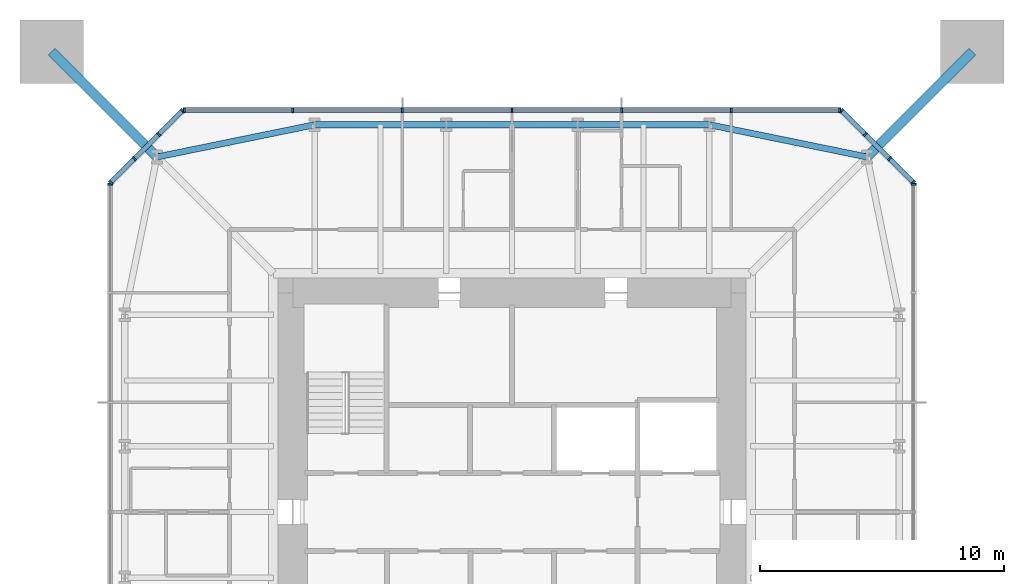
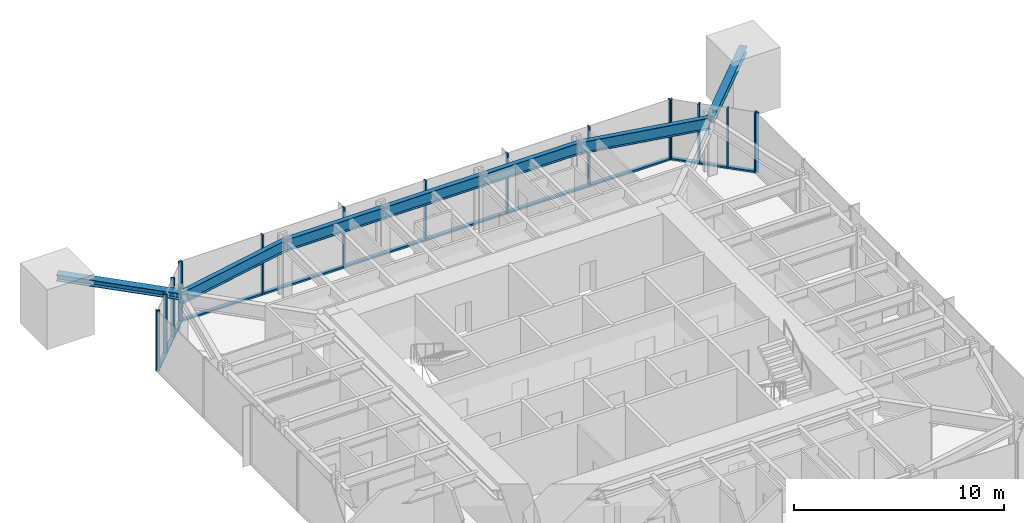
# One storey, part 4 of 9: 31 members, 5 beams, 5 elements without a shape of their own.
"""IFC4 building model written with IfcOpenShell, lengths in metres."""

from ifc_helpers import new_model, si_unit, direction, frame, origin, origin_2d, place, context, subcontext, project, spatial, rectangle, i_section, extrude, material, material_profile, profile_set, type_object, element, aggregate, save


model = new_model("IFC4")

# Units and contexts
model_context = context("Model", 3, precision=1e-05, world=origin(), true_north=direction((0.0, 1.0)))
body_context = subcontext(model_context, "Body", "Model", "MODEL_VIEW")
ifc_project = project(units=[si_unit("LENGTHUNIT", "METRE"), si_unit("AREAUNIT", "SQUARE_METRE"), si_unit("VOLUMEUNIT", "CUBIC_METRE"), si_unit("PLANEANGLEUNIT", "RADIAN"), si_unit("MASSUNIT", "GRAM", prefix="KILO")], contexts=[model_context])

# Site, building, storey
site_placement = place(None, origin())
site = spatial("IfcSite", under=ifc_project, at=site_placement, CompositionType="ELEMENT")
building_placement = place(site_placement, origin())
building = spatial("IfcBuilding", under=site, at=building_placement, Name="Iwan Alto Co-Living Towers", CompositionType="ELEMENT")
storey_placement = place(building_placement, frame((0.0, 0.0, 257.0)))
storey = spatial("IfcBuildingStorey", under=building, at=storey_placement, Name="L70", CompositionType="ELEMENT", Elevation=257.0)

# Curtain wall, member
ifc_material_1 = material(Name="Bronze aluminium unitised frame", Category="aluminium")
curtain_wall_type_1 = type_object("IfcCurtainWallType", Name="CURTAIN WALL CW-A", PredefinedType="NOTDEFINED", material=ifc_material_1)
curtain_wall_1_placement = place(storey_placement, origin())
curtain_wall_1 = element("IfcCurtainWall", 1, at=curtain_wall_1_placement, inside=storey, type_object=curtain_wall_type_1, Name="T1 curtain wall E L70", PredefinedType="NOTDEFINED")
ifc_material_2 = material(Name="Aluminium 6063-T6 bronze anodised", Category="aluminium")
ifc_material_profile_1 = material_profile(ifc_material_2, rectangle(XDim=0.199951171875, YDim=0.080078125, at=origin_2d()), Name="AL 80X200")
ifc_profile_set_1 = profile_set([ifc_material_profile_1], Name="Aluminium 6063-T6 bronze anodised")
member_type_1 = type_object("IfcMemberType", Name="CW-A MULLION 80X200", PredefinedType="MULLION", material=ifc_profile_set_1)
member_1_placement = place(storey_placement, frame((16.5, 13.4599609375, 0.0), z_axis=(0.0, 0.0, 1.0), x_axis=(-1.0, 0.0, 0.0)))
member_1 = element("IfcMember", 2, at=member_1_placement, type_object=member_type_1, Name="CW-A mullion 7", PredefinedType="MULLION", context=body_context, shape_type="SweptSolid", body=[
    extrude(rectangle(XDim=0.199951171875, YDim=0.080078125, at=origin_2d()), origin(), (0.0, 0.0, 1.0), 3.5),
])
aggregate(curtain_wall_1, [member_1])

# Curtain wall, members
curtain_wall_2_placement = place(storey_placement, origin())
curtain_wall_2 = element("IfcCurtainWall", 3, at=curtain_wall_2_placement, inside=storey, type_object=curtain_wall_type_1, Name="T1 curtain wall N L70", PredefinedType="NOTDEFINED")
member_2_placement = place(storey_placement, frame((13.4599609375, 16.5, 0.0), z_axis=(0.0, 0.0, 1.0), x_axis=(0.0, -1.0, 0.0)))
member_2 = element("IfcMember", 4, at=member_2_placement, type_object=member_type_1, Name="CW-A mullion 1", PredefinedType="MULLION", context=body_context, shape_type="SweptSolid", body=[
    extrude(rectangle(XDim=0.199951171875, YDim=0.080078125, at=origin_2d()), origin(), (0.0, 0.0, 1.0), 3.5),
])
member_3_placement = place(storey_placement, frame((9.0, 16.5, 0.0), z_axis=(0.0, 0.0, 1.0), x_axis=(0.0, -1.0, 0.0)))
member_3 = element("IfcMember", 5, at=member_3_placement, type_object=member_type_1, Name="CW-A mullion 2", PredefinedType="MULLION", context=body_context, shape_type="SweptSolid", body=[
    extrude(rectangle(XDim=0.199951171875, YDim=0.080078125, at=origin_2d()), origin(), (0.0, 0.0, 1.0), 3.5),
])
member_4_placement = place(storey_placement, frame((4.5, 16.5, 0.0), z_axis=(0.0, 0.0, 1.0), x_axis=(0.0, -1.0, 0.0)))
member_4 = element("IfcMember", 6, at=member_4_placement, type_object=member_type_1, Name="CW-A mullion 3", PredefinedType="MULLION", context=body_context, shape_type="SweptSolid", body=[
    extrude(rectangle(XDim=0.199951171875, YDim=0.080078125, at=origin_2d()), origin(), (0.0, 0.0, 1.0), 3.5),
])
member_5_placement = place(storey_placement, frame((0.0, 16.5, 0.0), z_axis=(0.0, 0.0, 1.0), x_axis=(0.0, -1.0, 0.0)))
member_5 = element("IfcMember", 7, at=member_5_placement, type_object=member_type_1, Name="CW-A mullion 4", PredefinedType="MULLION", context=body_context, shape_type="SweptSolid", body=[
    extrude(rectangle(XDim=0.199951171875, YDim=0.080078125, at=origin_2d()), origin(), (0.0, 0.0, 1.0), 3.5),
])
member_6_placement = place(storey_placement, frame((-4.5, 16.5, 0.0), z_axis=(0.0, 0.0, 1.0), x_axis=(0.0, -1.0, 0.0)))
member_6 = element("IfcMember", 8, at=member_6_placement, type_object=member_type_1, Name="CW-A mullion 5", PredefinedType="MULLION", context=body_context, shape_type="SweptSolid", body=[
    extrude(rectangle(XDim=0.199951171875, YDim=0.080078125, at=origin_2d()), origin(), (0.0, 0.0, 1.0), 3.5),
])
member_7_placement = place(storey_placement, frame((-9.0, 16.5, 0.0), z_axis=(0.0, 0.0, 1.0), x_axis=(0.0, -1.0, 0.0)))
member_7 = element("IfcMember", 9, at=member_7_placement, type_object=member_type_1, Name="CW-A mullion 6", PredefinedType="MULLION", context=body_context, shape_type="SweptSolid", body=[
    extrude(rectangle(XDim=0.199951171875, YDim=0.080078125, at=origin_2d()), origin(), (0.0, 0.0, 1.0), 3.5),
])
member_8_placement = place(storey_placement, frame((-13.4599609375, 16.5, 0.0), z_axis=(0.0, 0.0, 1.0), x_axis=(0.0, -1.0, 0.0)))
member_8 = element("IfcMember", 10, at=member_8_placement, type_object=member_type_1, Name="CW-A mullion 7", PredefinedType="MULLION", context=body_context, shape_type="SweptSolid", body=[
    extrude(rectangle(XDim=0.199951171875, YDim=0.080078125, at=origin_2d()), origin(), (0.0, 0.0, 1.0), 3.5),
])

# Curtain wall, member
curtain_wall_3_placement = place(storey_placement, origin())
curtain_wall_3 = element("IfcCurtainWall", 11, at=curtain_wall_3_placement, inside=storey, type_object=curtain_wall_type_1, Name="T1 curtain wall W L70", PredefinedType="NOTDEFINED")
member_9_placement = place(storey_placement, frame((-16.5, 13.4599609375, 0.0), z_axis=(0.0, 0.0, 1.0), x_axis=(1.0, 0.0, 0.0)))
member_9 = element("IfcMember", 12, at=member_9_placement, type_object=member_type_1, Name="CW-A mullion 1", PredefinedType="MULLION", context=body_context, shape_type="SweptSolid", body=[
    extrude(rectangle(XDim=0.199951171875, YDim=0.080078125, at=origin_2d()), origin(), (0.0, 0.0, 1.0), 3.5),
])
aggregate(curtain_wall_3, [member_9])

# Member
ifc_material_3 = material(Name="Aluminium 6063-T6 bronze anodised", Category="aluminium")
ifc_material_profile_2 = material_profile(ifc_material_3, rectangle(XDim=0.199951171875, YDim=0.10009765625, at=origin_2d()), Name="AL 200X100")
ifc_profile_set_2 = profile_set([ifc_material_profile_2], Name="Aluminium 6063-T6 bronze anodised")
member_type_2 = type_object("IfcMemberType", Name="CW-A TRANSOM 200X100", PredefinedType="USERDEFINED", material=ifc_profile_set_2)
member_10_placement = place(storey_placement, frame((13.419921875, 16.5, 0.050048828125), z_axis=(-1.0, 0.0, 0.0), x_axis=(0.0, -1.0, 0.0)))
member_10 = element("IfcMember", 13, at=member_10_placement, type_object=member_type_2, Name="CW-A transom 1.1", ObjectType="TRANSOM", PredefinedType="USERDEFINED", context=body_context, shape_type="SweptSolid", body=[
    extrude(rectangle(XDim=0.199951171875, YDim=0.10009765625, at=origin_2d()), origin(), (0.0, 0.0, 1.0), 4.3798828125),
])

member_11_placement = place(storey_placement, frame((8.9599609375, 16.5, 0.050048828125), z_axis=(-1.0, 0.0, 0.0), x_axis=(0.0, -1.0, 0.0)))
member_11 = element("IfcMember", 14, at=member_11_placement, type_object=member_type_2, Name="CW-A transom 2.1", ObjectType="TRANSOM", PredefinedType="USERDEFINED", context=body_context, shape_type="SweptSolid", body=[
    extrude(rectangle(XDim=0.199951171875, YDim=0.10009765625, at=origin_2d()), origin(), (0.0, 0.0, 1.0), 4.419921875),
])

member_12_placement = place(storey_placement, frame((4.4599609375, 16.5, 0.050048828125), z_axis=(-1.0, 0.0, 0.0), x_axis=(0.0, -1.0, 0.0)))
member_12 = element("IfcMember", 15, at=member_12_placement, type_object=member_type_2, Name="CW-A transom 3.1", ObjectType="TRANSOM", PredefinedType="USERDEFINED", context=body_context, shape_type="SweptSolid", body=[
    extrude(rectangle(XDim=0.199951171875, YDim=0.10009765625, at=origin_2d()), origin(), (0.0, 0.0, 1.0), 4.419921875),
])

member_13_placement = place(storey_placement, frame((-0.0400390625, 16.5, 0.050048828125), z_axis=(-1.0, 0.0, 0.0), x_axis=(0.0, -1.0, 0.0)))
member_13 = element("IfcMember", 16, at=member_13_placement, type_object=member_type_2, Name="CW-A transom 4.1", ObjectType="TRANSOM", PredefinedType="USERDEFINED", context=body_context, shape_type="SweptSolid", body=[
    extrude(rectangle(XDim=0.199951171875, YDim=0.10009765625, at=origin_2d()), origin(), (0.0, 0.0, 1.0), 4.419921875),
])

member_14_placement = place(storey_placement, frame((-4.5400390625, 16.5, 0.050048828125), z_axis=(-1.0, 0.0, 0.0), x_axis=(0.0, -1.0, 0.0)))
member_14 = element("IfcMember", 17, at=member_14_placement, type_object=member_type_2, Name="CW-A transom 5.1", ObjectType="TRANSOM", PredefinedType="USERDEFINED", context=body_context, shape_type="SweptSolid", body=[
    extrude(rectangle(XDim=0.199951171875, YDim=0.10009765625, at=origin_2d()), origin(), (0.0, 0.0, 1.0), 4.419921875),
])

member_15_placement = place(storey_placement, frame((-9.0400390625, 16.5, 0.050048828125), z_axis=(-1.0, 0.0, 0.0), x_axis=(0.0, -1.0, 0.0)))
member_15 = element("IfcMember", 18, at=member_15_placement, type_object=member_type_2, Name="CW-A transom 6.1", ObjectType="TRANSOM", PredefinedType="USERDEFINED", context=body_context, shape_type="SweptSolid", body=[
    extrude(rectangle(XDim=0.199951171875, YDim=0.10009765625, at=origin_2d()), origin(), (0.0, 0.0, 1.0), 4.3798828125),
])

aggregate(curtain_wall_2, [member_2, member_3, member_4, member_5, member_6, member_7, member_8, member_10, member_11, member_12, member_13, member_14, member_15])

# Curtain wall, members
ifc_material_4 = material(Name="Bronze aluminium unitised frame", Category="aluminium")
curtain_wall_type_2 = type_object("IfcCurtainWallType", Name="CURTAIN WALL CW-B", PredefinedType="NOTDEFINED", material=ifc_material_4)
curtain_wall_4_placement = place(storey_placement, origin())
curtain_wall_4 = element("IfcCurtainWall", 19, at=curtain_wall_4_placement, inside=storey, type_object=curtain_wall_type_2, Name="T1 chamfer curtain wall NE L70", PredefinedType="NOTDEFINED")
ifc_material_5 = material(Name="Aluminium 6063-T6 bronze anodised", Category="aluminium")
ifc_material_profile_3 = material_profile(ifc_material_5, rectangle(XDim=0.199951171875, YDim=0.080078125, at=origin_2d()), Name="AL 80X200")
ifc_profile_set_3 = profile_set([ifc_material_profile_3], Name="Aluminium 6063-T6 bronze anodised")
member_type_3 = type_object("IfcMemberType", Name="CW-B MULLION 80X200", PredefinedType="MULLION", material=ifc_profile_set_3)
member_16_placement = place(storey_placement, frame((16.4716796875, 13.5283203125, 0.0), z_axis=(0.0, 0.0, 1.0), x_axis=(-0.707106781187, -0.707106781187, 0.0)))
member_16 = element("IfcMember", 20, at=member_16_placement, type_object=member_type_3, Name="CW-B mullion 1", PredefinedType="MULLION", context=body_context, shape_type="SweptSolid", body=[
    extrude(rectangle(XDim=0.199951171875, YDim=0.080078125, at=origin_2d()), origin(), (0.0, 0.0, 1.0), 3.5),
])
member_17_placement = place(storey_placement, frame((15.5, 14.5, 0.0), z_axis=(0.0, 0.0, 1.0), x_axis=(-0.707106781187, -0.707106781187, 0.0)))
member_17 = element("IfcMember", 21, at=member_17_placement, type_object=member_type_3, Name="CW-B mullion 2", PredefinedType="MULLION", context=body_context, shape_type="SweptSolid", body=[
    extrude(rectangle(XDim=0.199951171875, YDim=0.080078125, at=origin_2d()), origin(), (0.0, 0.0, 1.0), 3.5),
])
member_18_placement = place(storey_placement, frame((14.5, 15.5, 0.0), z_axis=(0.0, 0.0, 1.0), x_axis=(-0.707106781187, -0.707106781187, 0.0)))
member_18 = element("IfcMember", 22, at=member_18_placement, type_object=member_type_3, Name="CW-B mullion 3", PredefinedType="MULLION", context=body_context, shape_type="SweptSolid", body=[
    extrude(rectangle(XDim=0.199951171875, YDim=0.080078125, at=origin_2d()), origin(), (0.0, 0.0, 1.0), 3.5),
])
member_19_placement = place(storey_placement, frame((13.5283203125, 16.4716796875, 0.0), z_axis=(0.0, 0.0, 1.0), x_axis=(-0.707106781187, -0.707106781187, 0.0)))
member_19 = element("IfcMember", 23, at=member_19_placement, type_object=member_type_3, Name="CW-B mullion 4", PredefinedType="MULLION", context=body_context, shape_type="SweptSolid", body=[
    extrude(rectangle(XDim=0.199951171875, YDim=0.080078125, at=origin_2d()), origin(), (0.0, 0.0, 1.0), 3.5),
])

curtain_wall_5_placement = place(storey_placement, origin())
curtain_wall_5 = element("IfcCurtainWall", 24, at=curtain_wall_5_placement, inside=storey, type_object=curtain_wall_type_2, Name="T1 chamfer curtain wall NW L70", PredefinedType="NOTDEFINED")
member_20_placement = place(storey_placement, frame((-13.5283203125, 16.4716796875, 0.0), z_axis=(0.0, 0.0, 1.0), x_axis=(0.707106781187, -0.707106781187, 0.0)))
member_20 = element("IfcMember", 25, at=member_20_placement, type_object=member_type_3, Name="CW-B mullion 1", PredefinedType="MULLION", context=body_context, shape_type="SweptSolid", body=[
    extrude(rectangle(XDim=0.199951171875, YDim=0.080078125, at=origin_2d()), origin(), (0.0, 0.0, 1.0), 3.5),
])
member_21_placement = place(storey_placement, frame((-14.5, 15.5, 0.0), z_axis=(0.0, 0.0, 1.0), x_axis=(0.707106781187, -0.707106781187, 0.0)))
member_21 = element("IfcMember", 26, at=member_21_placement, type_object=member_type_3, Name="CW-B mullion 2", PredefinedType="MULLION", context=body_context, shape_type="SweptSolid", body=[
    extrude(rectangle(XDim=0.199951171875, YDim=0.080078125, at=origin_2d()), origin(), (0.0, 0.0, 1.0), 3.5),
])
member_22_placement = place(storey_placement, frame((-15.5, 14.5, 0.0), z_axis=(0.0, 0.0, 1.0), x_axis=(0.707106781187, -0.707106781187, 0.0)))
member_22 = element("IfcMember", 27, at=member_22_placement, type_object=member_type_3, Name="CW-B mullion 3", PredefinedType="MULLION", context=body_context, shape_type="SweptSolid", body=[
    extrude(rectangle(XDim=0.199951171875, YDim=0.080078125, at=origin_2d()), origin(), (0.0, 0.0, 1.0), 3.5),
])
member_23_placement = place(storey_placement, frame((-16.4716796875, 13.5283203125, 0.0), z_axis=(0.0, 0.0, 1.0), x_axis=(0.707106781187, -0.707106781187, 0.0)))
member_23 = element("IfcMember", 28, at=member_23_placement, type_object=member_type_3, Name="CW-B mullion 4", PredefinedType="MULLION", context=body_context, shape_type="SweptSolid", body=[
    extrude(rectangle(XDim=0.199951171875, YDim=0.080078125, at=origin_2d()), origin(), (0.0, 0.0, 1.0), 3.5),
])

# Member
ifc_material_6 = material(Name="Aluminium 6063-T6 bronze anodised", Category="aluminium")
ifc_material_profile_4 = material_profile(ifc_material_6, rectangle(XDim=0.199951171875, YDim=0.10009765625, at=origin_2d()), Name="AL 200X100")
ifc_profile_set_4 = profile_set([ifc_material_profile_4], Name="Aluminium 6063-T6 bronze anodised")
member_type_4 = type_object("IfcMemberType", Name="CW-B TRANSOM 200X100", PredefinedType="USERDEFINED", material=ifc_profile_set_4)
member_24_placement = place(storey_placement, frame((16.443359375, 13.556640625, 0.050048828125), z_axis=(-0.707106781187, 0.707106781187, 0.0), x_axis=(-0.707106781187, -0.707106781187, 0.0)))
member_24 = element("IfcMember", 29, at=member_24_placement, type_object=member_type_4, Name="CW-B transom 1.1", ObjectType="TRANSOM", PredefinedType="USERDEFINED", context=body_context, shape_type="SweptSolid", body=[
    extrude(rectangle(XDim=0.199951171875, YDim=0.10009765625, at=origin_2d()), origin(), (0.0, 0.0, 1.0), 1.2939453125),
])

member_25_placement = place(storey_placement, frame((15.4716796875, 14.5283203125, 0.050048828125), z_axis=(-0.707106781187, 0.707106781187, 0.0), x_axis=(-0.707106781187, -0.707106781187, 0.0)))
member_25 = element("IfcMember", 30, at=member_25_placement, type_object=member_type_4, Name="CW-B transom 2.1", ObjectType="TRANSOM", PredefinedType="USERDEFINED", context=body_context, shape_type="SweptSolid", body=[
    extrude(rectangle(XDim=0.199951171875, YDim=0.10009765625, at=origin_2d()), origin(), (0.0, 0.0, 1.0), 1.334228515625),
])

member_26_placement = place(storey_placement, frame((14.4716796875, 15.5283203125, 0.050048828125), z_axis=(-0.707106781187, 0.707106781187, 0.0), x_axis=(-0.707106781187, -0.707106781187, 0.0)))
member_26 = element("IfcMember", 31, at=member_26_placement, type_object=member_type_4, Name="CW-B transom 3.1", ObjectType="TRANSOM", PredefinedType="USERDEFINED", context=body_context, shape_type="SweptSolid", body=[
    extrude(rectangle(XDim=0.199951171875, YDim=0.10009765625, at=origin_2d()), origin(), (0.0, 0.0, 1.0), 1.2939453125),
])

aggregate(curtain_wall_4, [member_16, member_17, member_18, member_19, member_24, member_25, member_26])

member_27_placement = place(storey_placement, frame((-13.556640625, 16.443359375, 0.050048828125), z_axis=(-0.707106781187, -0.707106781187, 0.0), x_axis=(0.707106781187, -0.707106781187, 0.0)))
member_27 = element("IfcMember", 32, at=member_27_placement, type_object=member_type_4, Name="CW-B transom 1.1", ObjectType="TRANSOM", PredefinedType="USERDEFINED", context=body_context, shape_type="SweptSolid", body=[
    extrude(rectangle(XDim=0.199951171875, YDim=0.10009765625, at=origin_2d()), origin(), (0.0, 0.0, 1.0), 1.2939453125),
])

member_28_placement = place(storey_placement, frame((-14.5283203125, 15.4716796875, 0.050048828125), z_axis=(-0.707106781187, -0.707106781187, 0.0), x_axis=(0.707106781187, -0.707106781187, 0.0)))
member_28 = element("IfcMember", 33, at=member_28_placement, type_object=member_type_4, Name="CW-B transom 2.1", ObjectType="TRANSOM", PredefinedType="USERDEFINED", context=body_context, shape_type="SweptSolid", body=[
    extrude(rectangle(XDim=0.199951171875, YDim=0.10009765625, at=origin_2d()), origin(), (0.0, 0.0, 1.0), 1.334228515625),
])

member_29_placement = place(storey_placement, frame((-15.5283203125, 14.4716796875, 0.050048828125), z_axis=(-0.707106781187, -0.707106781187, 0.0), x_axis=(0.707106781187, -0.707106781187, 0.0)))
member_29 = element("IfcMember", 34, at=member_29_placement, type_object=member_type_4, Name="CW-B transom 3.1", ObjectType="TRANSOM", PredefinedType="USERDEFINED", context=body_context, shape_type="SweptSolid", body=[
    extrude(rectangle(XDim=0.199951171875, YDim=0.10009765625, at=origin_2d()), origin(), (0.0, 0.0, 1.0), 1.2939453125),
])

aggregate(curtain_wall_5, [member_20, member_21, member_22, member_23, member_27, member_28, member_29])

# Beams
ifc_material_7 = material(Name="Steel ASTM A992 Gr 50", Category="steel")
ifc_material_profile_5 = material_profile(ifc_material_7, i_section(OverallWidth=0.25390625, OverallDepth=0.683349609375, WebThickness=0.012451171875, FlangeThickness=0.018798828125, at=origin_2d()), Name="W27X94")
ifc_profile_set_5 = profile_set([ifc_material_profile_5], Name="Steel ASTM A992 Gr 50")
beam_type = type_object("IfcBeamType", Name="T1 EDGE BEAM W27X94", PredefinedType="BEAM", material=ifc_profile_set_5)
beam_1_placement = place(storey_placement, frame((14.57568359375, 14.57568359375, 2.928466796875), z_axis=(-0.979724820103, 0.200347889618, 0.0), x_axis=(-0.200347889618, -0.979724820103, 0.0)))
element("IfcBeam", 35, at=beam_1_placement, inside=storey, type_object=beam_type, Name="T1 edge beam CNE L71", PredefinedType="BEAM", context=body_context, shape_type="SweptSolid", body=[
    extrude(i_section(OverallWidth=0.25390625, OverallDepth=0.683349609375, WebThickness=0.012451171875, FlangeThickness=0.018798828125, at=origin_2d()), origin(), (0.0, 0.0, 1.0), 6.609619140625),
])
beam_2_placement = place(storey_placement, frame((8.10009765625, 15.89990234375, 2.928466796875), z_axis=(-1.0, 0.0, 0.0), x_axis=(0.0, -1.0, 0.0)))
element("IfcBeam", 36, at=beam_2_placement, inside=storey, type_object=beam_type, Name="T1 edge beam N1 L71", PredefinedType="BEAM", context=body_context, shape_type="SweptSolid", body=[
    extrude(i_section(OverallWidth=0.25390625, OverallDepth=0.683349609375, WebThickness=0.012451171875, FlangeThickness=0.018798828125, at=origin_2d()), origin(), (0.0, 0.0, 1.0), 5.400146484375),
])
beam_3_placement = place(storey_placement, frame((2.699951171875, 15.89990234375, 2.928466796875), z_axis=(-1.0, 0.0, 0.0), x_axis=(0.0, -1.0, 0.0)))
element("IfcBeam", 37, at=beam_3_placement, inside=storey, type_object=beam_type, Name="T1 edge beam N2 L71", PredefinedType="BEAM", context=body_context, shape_type="SweptSolid", body=[
    extrude(i_section(OverallWidth=0.25390625, OverallDepth=0.683349609375, WebThickness=0.012451171875, FlangeThickness=0.018798828125, at=origin_2d()), origin(), (0.0, 0.0, 1.0), 5.39990234375),
])
beam_4_placement = place(storey_placement, frame((-2.699951171875, 15.89990234375, 2.928466796875), z_axis=(-1.0, 0.0, 0.0), x_axis=(0.0, -1.0, 0.0)))
element("IfcBeam", 38, at=beam_4_placement, inside=storey, type_object=beam_type, Name="T1 edge beam N3 L71", PredefinedType="BEAM", context=body_context, shape_type="SweptSolid", body=[
    extrude(i_section(OverallWidth=0.25390625, OverallDepth=0.683349609375, WebThickness=0.012451171875, FlangeThickness=0.018798828125, at=origin_2d()), origin(), (0.0, 0.0, 1.0), 5.400146484375),
])
beam_5_placement = place(storey_placement, frame((-8.10009765625, 15.89990234375, 2.928466796875), z_axis=(-0.979724820103, -0.200347889618, 0.0), x_axis=(0.200347889618, -0.979724820103, 0.0)))
element("IfcBeam", 39, at=beam_5_placement, inside=storey, type_object=beam_type, Name="T1 edge beam N4 L71", PredefinedType="BEAM", context=body_context, shape_type="SweptSolid", body=[
    extrude(i_section(OverallWidth=0.25390625, OverallDepth=0.683349609375, WebThickness=0.012451171875, FlangeThickness=0.018798828125, at=origin_2d()), origin(), (0.0, 0.0, 1.0), 6.609619140625),
])

# Members
ifc_material_8 = material(Name="Steel ASTM A992 Gr 50", Category="steel")
ifc_material_profile_6 = material_profile(ifc_material_8, i_section(OverallWidth=0.393798828125, OverallDepth=0.3759765625, WebThickness=0.017333984375, FlangeThickness=0.027587890625, at=origin_2d()), Name="W14X145")
ifc_profile_set_6 = profile_set([ifc_material_profile_6], Name="Steel ASTM A992 Gr 50")
member_type_5 = type_object("IfcMemberType", Name="T1 MEGA COLUMN FLOOR TIE W14X145", PredefinedType="STRUT", material=ifc_profile_set_6)
for number, where, z_axis, x_axis, name in (
    (40, (18.89990234375, 18.89990234375, 3.08203125), (-0.707106781187, -0.707106781187, 0.0), (0.707106781187, -0.707106781187, 0.0), "T1 mega column floor tie NE L71"),
    (41, (-18.89990234375, 18.89990234375, 3.08203125), (0.707106781187, -0.707106781187, 0.0), (0.707106781187, 0.707106781187, 0.0), "T1 mega column floor tie NW L71"),
):
    element("IfcMember", number, at=place(storey_placement, frame(where, z_axis=z_axis, x_axis=x_axis)), inside=storey, type_object=member_type_5, Name=name, PredefinedType="STRUT", context=body_context, shape_type="SweptSolid", body=[
        extrude(i_section(OverallWidth=0.393798828125, OverallDepth=0.3759765625, WebThickness=0.017333984375, FlangeThickness=0.027587890625, at=origin_2d()), origin(), (0.0, 0.0, 1.0), 6.115478515625),
    ])

save(model, "model.ifc")
